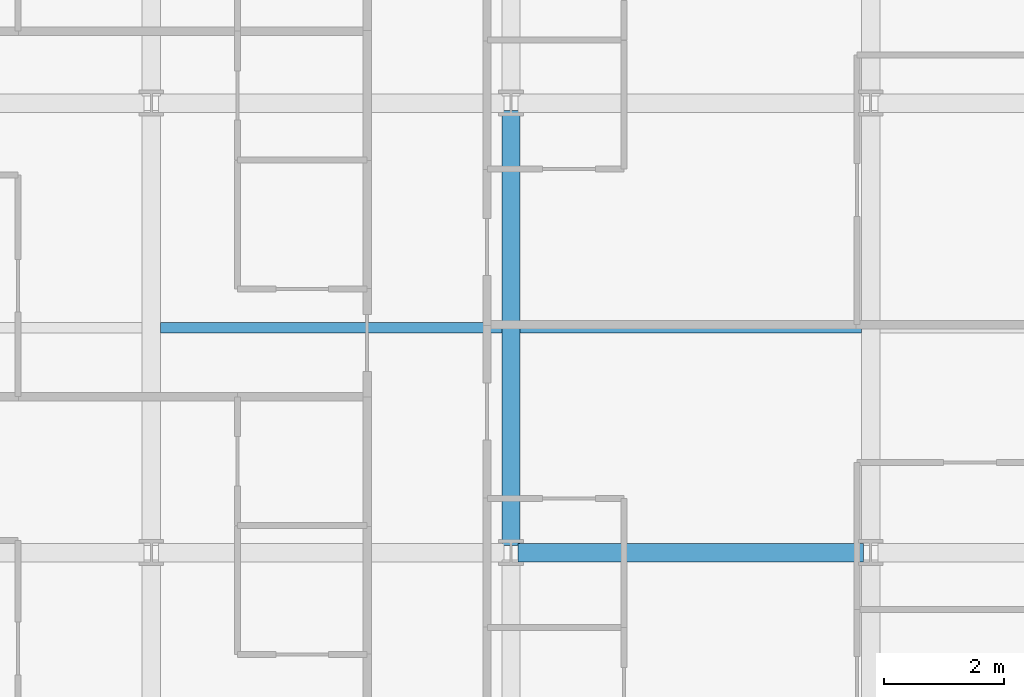
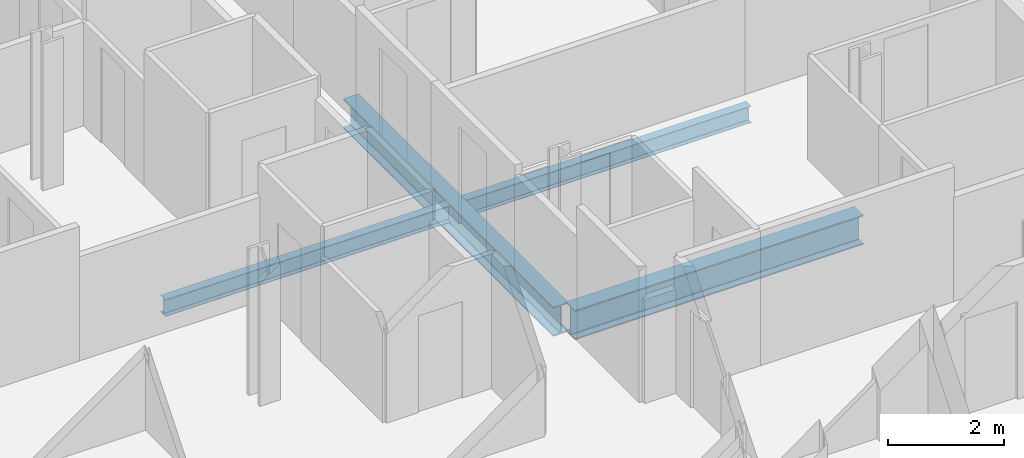
# One storey, part 6 of 41: 4 beams.
"""IFC4 building model written with IfcOpenShell, lengths in metres."""

from ifc_helpers import new_model, si_unit, direction, frame, origin, origin_2d, place, context, subcontext, project, spatial, i_section, extrude, material, material_profile, profile_set, type_object, element, save


model = new_model("IFC4")

# Units and contexts
model_context = context("Model", 3, precision=1e-05, world=origin(), true_north=direction((0.0, 1.0)))
body_context = subcontext(model_context, "Body", "Model", "MODEL_VIEW")
ifc_project = project(units=[si_unit("LENGTHUNIT", "METRE"), si_unit("AREAUNIT", "SQUARE_METRE"), si_unit("VOLUMEUNIT", "CUBIC_METRE"), si_unit("PLANEANGLEUNIT", "RADIAN"), si_unit("MASSUNIT", "GRAM", prefix="KILO")], contexts=[model_context])

# Site, building, storey
site_placement = place(None, origin())
site = spatial("IfcSite", under=ifc_project, at=site_placement, CompositionType="ELEMENT")
building_placement = place(site_placement, origin())
building = spatial("IfcBuilding", under=site, at=building_placement, Name="Brevholm Reach", CompositionType="ELEMENT")
storey_placement = place(building_placement, frame((0.0, 0.0, 93.10009765625)))
storey = spatial("IfcBuildingStorey", under=building, at=storey_placement, Name="L27", CompositionType="ELEMENT", Elevation=93.10009765625)

# Beams
ifc_material_1 = material(Name="Structural Steel S355J2", Category="steel")
ifc_material_profile_1 = material_profile(ifc_material_1, i_section(OverallWidth=0.17138671875, OverallDepth=0.35498046875, WebThickness=0.00732421875, FlangeThickness=0.011474609375, FilletRadius=0.01025390625, at=origin_2d()), Name="UKB 356x171x51")
ifc_profile_set_1 = profile_set([ifc_material_profile_1], Name="Structural Steel S355J2")
beam_type_1 = type_object("IfcBeamType", Name="BM-B356", PredefinedType="BEAM", material=ifc_profile_set_1)
for number, where, z_axis, x_axis, name in (
    (1, (6.153564453125, 19.75, -0.40771484375), (1.0, 0.0, 0.0), (0.0, 1.0, 0.0), "L27 Composite Secondary Floor Beam"),
    (2, (12.153564453125, 19.75, -0.40771484375), (1.0, 0.0, 0.0), (0.0, 1.0, 0.0), "L27 Composite Secondary Floor Beam"),
):
    element("IfcBeam", number, at=place(storey_placement, frame(where, z_axis=z_axis, x_axis=x_axis)), inside=storey, type_object=beam_type_1, Name=name, PredefinedType="BEAM", context=body_context, shape_type="SweptSolid", body=[
        extrude(i_section(OverallWidth=0.17138671875, OverallDepth=0.35498046875, WebThickness=0.00732421875, FlangeThickness=0.011474609375, FilletRadius=0.01025390625, at=origin_2d()), origin(), (0.0, 0.0, 1.0), 5.69287109375),
    ])
ifc_material_2 = material(Name="Structural Steel S355J2", Category="steel")
ifc_material_profile_2 = material_profile(ifc_material_2, i_section(OverallWidth=0.30712890625, OverallDepth=0.6201171875, WebThickness=0.01416015625, FlangeThickness=0.023681640625, FilletRadius=0.0166015625, at=origin_2d()), Name="UKB 610x305x179")
ifc_profile_set_2 = profile_set([ifc_material_profile_2], Name="Structural Steel S355J2")
beam_type_2 = type_object("IfcBeamType", Name="BM-UKB610H", PredefinedType="USERDEFINED", material=ifc_profile_set_2)
beam_1_placement = place(storey_placement, frame((12.1201171875, 16.0, -0.540283203125), z_axis=(1.0, 0.0, 0.0), x_axis=(0.0, 1.0, 0.0)))
element("IfcBeam", 3, at=beam_1_placement, inside=storey, type_object=beam_type_2, Name="L27 G-06 Framing Beam", ObjectType="GIRDER", PredefinedType="USERDEFINED", context=body_context, shape_type="SweptSolid", body=[
    extrude(i_section(OverallWidth=0.30712890625, OverallDepth=0.6201171875, WebThickness=0.01416015625, FlangeThickness=0.023681640625, FilletRadius=0.0166015625, at=origin_2d()), origin(), (0.0, 0.0, 1.0), 5.759765625),
])
beam_2_placement = place(storey_placement, frame((12.0, 16.1201171875, -0.540283203125), z_axis=(0.0, 1.0, 0.0), x_axis=(-1.0, 0.0, 0.0)))
element("IfcBeam", 4, at=beam_2_placement, inside=storey, type_object=beam_type_2, Name="L27 G-06 Framing Beam", ObjectType="GIRDER", PredefinedType="USERDEFINED", context=body_context, shape_type="SweptSolid", body=[
    extrude(i_section(OverallWidth=0.30712890625, OverallDepth=0.6201171875, WebThickness=0.01416015625, FlangeThickness=0.023681640625, FilletRadius=0.0166015625, at=origin_2d()), origin(), (0.0, 0.0, 1.0), 7.259765625),
])

save(model, "model.ifc")
